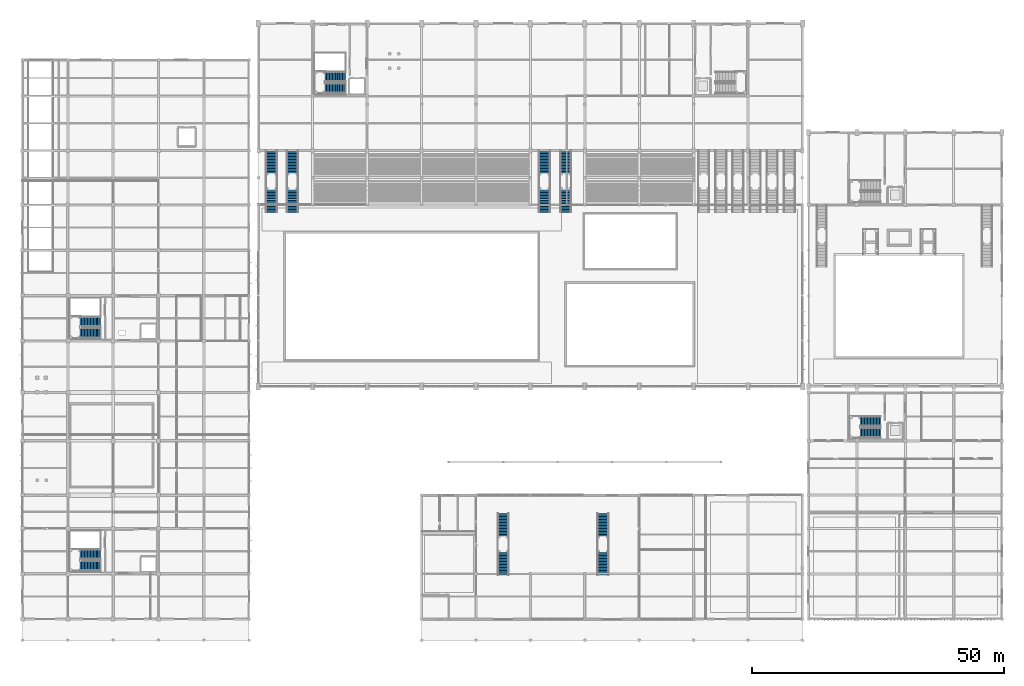
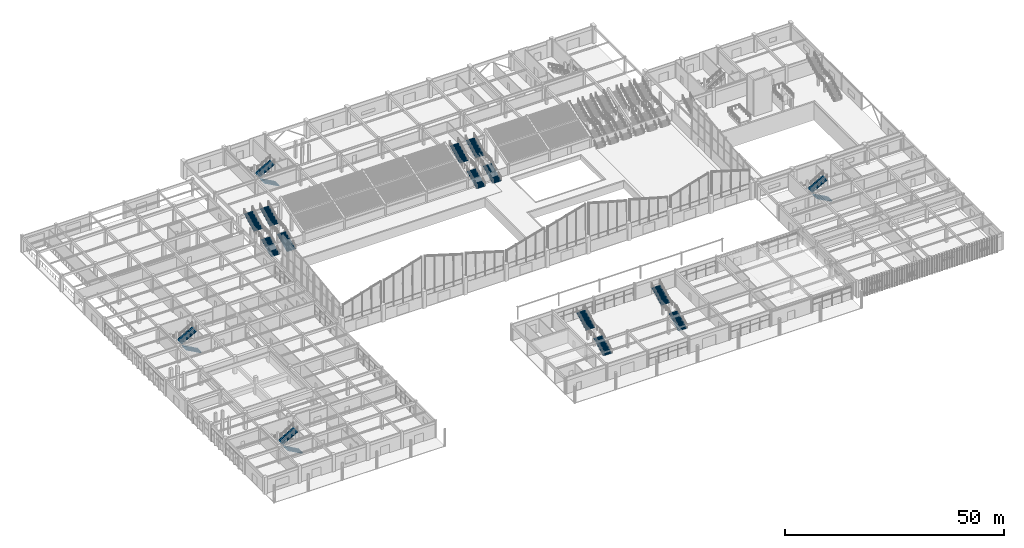
# One storey, part 61 of 82: 20 stair flights, 10 elements without a shape of their own.
"""IFC4 building model written with IfcOpenShell, lengths in metres."""

from ifc_helpers import new_model, si_unit, direction, frame, origin, place, context, subcontext, project, spatial, polyline, outline, extrude, material, type_object, element, aggregate, save


model = new_model("IFC4")

# Units and contexts
model_context = context("Model", 3, precision=1e-05, world=origin(), true_north=direction((0.0, 1.0)))
body_context = subcontext(model_context, "Body", "Model", "MODEL_VIEW")
ifc_project = project(units=[si_unit("LENGTHUNIT", "METRE"), si_unit("AREAUNIT", "SQUARE_METRE"), si_unit("VOLUMEUNIT", "CUBIC_METRE"), si_unit("PLANEANGLEUNIT", "RADIAN"), si_unit("MASSUNIT", "GRAM", prefix="KILO")], contexts=[model_context])

# Site, building, storey
site_placement = place(None, origin())
site = spatial("IfcSite", under=ifc_project, at=site_placement, CompositionType="ELEMENT")
building_placement = place(site_placement, origin())
building = spatial("IfcBuilding", under=site, at=building_placement, Name="Suirenkawa Promenade Aquatics Centre", CompositionType="ELEMENT")
storey_placement = place(building_placement, origin())
storey = spatial("IfcBuildingStorey", under=building, at=storey_placement, Name="L00", CompositionType="ELEMENT", Elevation=0.0)

# Stair, stair flights
ifc_material = material(Name="Concrete M40", Category="concrete")
stair_type_1 = type_object("IfcStairType", Name="STT-CORE-2100-480", PredefinedType="TWO_STRAIGHT_RUN_STAIR", material=ifc_material)
stair_1_placement = place(storey_placement, origin())
stair_1 = element("IfcStair", 1, at=stair_1_placement, inside=storey, type_object=stair_type_1, Name="Protected exit stair STR-01 ST-02", PredefinedType="TWO_STRAIGHT_RUN_STAIR")
stair_flight_type_1 = type_object("IfcStairFlightType", Name="SFT-FLIGHT-2100", PredefinedType="STRAIGHT", material=ifc_material)
stair_flight_1_placement = place(storey_placement, frame((15.514892578125, 14.780029296875, 0.0), z_axis=(0.0, 0.0, 1.0), x_axis=(-1.0, 0.0, 0.0)))
stair_flight_1 = element("IfcStairFlight", 2, at=stair_flight_1_placement, type_object=stair_flight_type_1, Name="Stair flight SFL-01 FL-003", NumberOfRisers=15, NumberOfTreads=14, PredefinedType="STRAIGHT", RiserHeight=0.16, TreadLength=0.29, context=body_context, shape_type="SweptSolid", body=[
    extrude(outline(polyline([(0.0, 0.0), (0.0, 0.159912109375), (0.2900390625, 0.159912109375), (0.2900390625, 0.320068359375), (0.580078125, 0.320068359375), (0.580078125, 0.47998046875), (0.8701171875, 0.47998046875), (0.8701171875, 0.639892578125), (1.159912109375, 0.639892578125), (1.159912109375, 0.800048828125), (1.449951171875, 0.800048828125), (1.449951171875, 0.9599609375), (1.739990234375, 0.9599609375), (1.739990234375, 1.1201171875), (2.030029296875, 1.1201171875), (2.030029296875, 1.280029296875), (2.320068359375, 1.280029296875), (2.320068359375, 1.43994140625), (2.610107421875, 1.43994140625), (2.610107421875, 1.60009765625), (2.89990234375, 1.60009765625), (2.89990234375, 1.760009765625), (3.18994140625, 1.760009765625), (3.18994140625, 1.919921875), (3.47998046875, 1.919921875), (3.47998046875, 2.080078125), (3.77001953125, 2.080078125), (3.77001953125, 2.239990234375), (4.06005859375, 2.239990234375), (4.06005859375, 2.39990234375), (4.06005859375, 2.0458984375), (0.351806640625, 0.0), (0.0, 0.0)])), frame((0.0, 1.010009765625, 0.0), z_axis=(0.0, -1.0, 0.0), x_axis=(1.0, 0.0, 0.0)), (0.0, 0.0, 1.0), 2.02001953125),
])
stair_flight_2_placement = place(storey_placement, frame((11.455078125, 17.050048828125, 2.39990234375), z_axis=(0.0, 0.0, 1.0), x_axis=(1.0, 0.0, 0.0)))
stair_flight_2 = element("IfcStairFlight", 3, at=stair_flight_2_placement, type_object=stair_flight_type_1, Name="Stair flight SFL-01 FL-004", NumberOfRisers=15, NumberOfTreads=14, PredefinedType="STRAIGHT", RiserHeight=0.16, TreadLength=0.29, context=body_context, shape_type="SweptSolid", body=[
    extrude(outline(polyline([(0.0, 0.0), (0.0, 0.159912109375), (0.2900390625, 0.159912109375), (0.2900390625, 0.320068359375), (0.580078125, 0.320068359375), (0.580078125, 0.47998046875), (0.8701171875, 0.47998046875), (0.8701171875, 0.639892578125), (1.159912109375, 0.639892578125), (1.159912109375, 0.800048828125), (1.449951171875, 0.800048828125), (1.449951171875, 0.9599609375), (1.739990234375, 0.9599609375), (1.739990234375, 1.1201171875), (2.030029296875, 1.1201171875), (2.030029296875, 1.280029296875), (2.320068359375, 1.280029296875), (2.320068359375, 1.43994140625), (2.610107421875, 1.43994140625), (2.610107421875, 1.60009765625), (2.89990234375, 1.60009765625), (2.89990234375, 1.760009765625), (3.18994140625, 1.760009765625), (3.18994140625, 1.919921875), (3.47998046875, 1.919921875), (3.47998046875, 2.080078125), (3.77001953125, 2.080078125), (3.77001953125, 2.239990234375), (4.06005859375, 2.239990234375), (4.06005859375, 2.39990234375), (4.06005859375, 2.0458984375), (0.351806640625, 0.0), (0.0, 0.0)])), frame((0.0, 1.010009765625, 0.0), z_axis=(0.0, -1.0, 0.0), x_axis=(1.0, 0.0, 0.0)), (0.0, 0.0, 1.0), 2.02001953125),
])
aggregate(stair_1, [stair_flight_1, stair_flight_2])

stair_2_placement = place(storey_placement, origin())
stair_2 = element("IfcStair", 4, at=stair_2_placement, inside=storey, type_object=stair_type_1, Name="Protected exit stair STR-01 ST-07", PredefinedType="TWO_STRAIGHT_RUN_STAIR")
stair_flight_3_placement = place(storey_placement, frame((15.514892578125, 60.97998046875, 0.0), z_axis=(0.0, 0.0, 1.0), x_axis=(-1.0, 0.0, 0.0)))
stair_flight_3 = element("IfcStairFlight", 5, at=stair_flight_3_placement, type_object=stair_flight_type_1, Name="Stair flight SFL-01 FL-013", NumberOfRisers=15, NumberOfTreads=14, PredefinedType="STRAIGHT", RiserHeight=0.16, TreadLength=0.29, context=body_context, shape_type="SweptSolid", body=[
    extrude(outline(polyline([(0.0, 0.0), (0.0, 0.159912109375), (0.2900390625, 0.159912109375), (0.2900390625, 0.320068359375), (0.580078125, 0.320068359375), (0.580078125, 0.47998046875), (0.8701171875, 0.47998046875), (0.8701171875, 0.639892578125), (1.159912109375, 0.639892578125), (1.159912109375, 0.800048828125), (1.449951171875, 0.800048828125), (1.449951171875, 0.9599609375), (1.739990234375, 0.9599609375), (1.739990234375, 1.1201171875), (2.030029296875, 1.1201171875), (2.030029296875, 1.280029296875), (2.320068359375, 1.280029296875), (2.320068359375, 1.43994140625), (2.610107421875, 1.43994140625), (2.610107421875, 1.60009765625), (2.89990234375, 1.60009765625), (2.89990234375, 1.760009765625), (3.18994140625, 1.760009765625), (3.18994140625, 1.919921875), (3.47998046875, 1.919921875), (3.47998046875, 2.080078125), (3.77001953125, 2.080078125), (3.77001953125, 2.239990234375), (4.06005859375, 2.239990234375), (4.06005859375, 2.39990234375), (4.06005859375, 2.0458984375), (0.351806640625, 0.0), (0.0, 0.0)])), frame((0.0, 1.010009765625, 0.0), z_axis=(0.0, -1.0, 0.0), x_axis=(1.0, 0.0, 0.0)), (0.0, 0.0, 1.0), 2.02001953125),
])
stair_flight_4_placement = place(storey_placement, frame((11.455078125, 63.25, 2.39990234375), z_axis=(0.0, 0.0, 1.0), x_axis=(1.0, 0.0, 0.0)))
stair_flight_4 = element("IfcStairFlight", 6, at=stair_flight_4_placement, type_object=stair_flight_type_1, Name="Stair flight SFL-01 FL-014", NumberOfRisers=15, NumberOfTreads=14, PredefinedType="STRAIGHT", RiserHeight=0.16, TreadLength=0.29, context=body_context, shape_type="SweptSolid", body=[
    extrude(outline(polyline([(0.0, 0.0), (0.0, 0.159912109375), (0.2900390625, 0.159912109375), (0.2900390625, 0.320068359375), (0.580078125, 0.320068359375), (0.580078125, 0.47998046875), (0.8701171875, 0.47998046875), (0.8701171875, 0.639892578125), (1.159912109375, 0.639892578125), (1.159912109375, 0.800048828125), (1.449951171875, 0.800048828125), (1.449951171875, 0.9599609375), (1.739990234375, 0.9599609375), (1.739990234375, 1.1201171875), (2.030029296875, 1.1201171875), (2.030029296875, 1.280029296875), (2.320068359375, 1.280029296875), (2.320068359375, 1.43994140625), (2.610107421875, 1.43994140625), (2.610107421875, 1.60009765625), (2.89990234375, 1.60009765625), (2.89990234375, 1.760009765625), (3.18994140625, 1.760009765625), (3.18994140625, 1.919921875), (3.47998046875, 1.919921875), (3.47998046875, 2.080078125), (3.77001953125, 2.080078125), (3.77001953125, 2.239990234375), (4.06005859375, 2.239990234375), (4.06005859375, 2.39990234375), (4.06005859375, 2.0458984375), (0.351806640625, 0.0), (0.0, 0.0)])), frame((0.0, 1.010009765625, 0.0), z_axis=(0.0, -1.0, 0.0), x_axis=(1.0, 0.0, 0.0)), (0.0, 0.0, 1.0), 2.02001953125),
])
aggregate(stair_2, [stair_flight_3, stair_flight_4])

stair_3_placement = place(storey_placement, origin())
stair_3 = element("IfcStair", 7, at=stair_3_placement, inside=storey, type_object=stair_type_1, Name="Protected exit stair STR-01 ST-12", PredefinedType="TWO_STRAIGHT_RUN_STAIR")
stair_flight_5_placement = place(storey_placement, frame((64.114990234375, 109.580078125, 0.0), z_axis=(0.0, 0.0, 1.0), x_axis=(-1.0, 0.0, 0.0)))
stair_flight_5 = element("IfcStairFlight", 8, at=stair_flight_5_placement, type_object=stair_flight_type_1, Name="Stair flight SFL-01 FL-023", NumberOfRisers=15, NumberOfTreads=14, PredefinedType="STRAIGHT", RiserHeight=0.16, TreadLength=0.29, context=body_context, shape_type="SweptSolid", body=[
    extrude(outline(polyline([(0.0, 0.0), (0.0, 0.159912109375), (0.2900390625, 0.159912109375), (0.2900390625, 0.320068359375), (0.580078125, 0.320068359375), (0.580078125, 0.47998046875), (0.8701171875, 0.47998046875), (0.8701171875, 0.639892578125), (1.159912109375, 0.639892578125), (1.159912109375, 0.800048828125), (1.449951171875, 0.800048828125), (1.449951171875, 0.9599609375), (1.739990234375, 0.9599609375), (1.739990234375, 1.1201171875), (2.030029296875, 1.1201171875), (2.030029296875, 1.280029296875), (2.320068359375, 1.280029296875), (2.320068359375, 1.43994140625), (2.610107421875, 1.43994140625), (2.610107421875, 1.60009765625), (2.89990234375, 1.60009765625), (2.89990234375, 1.760009765625), (3.18994140625, 1.760009765625), (3.18994140625, 1.919921875), (3.47998046875, 1.919921875), (3.47998046875, 2.080078125), (3.77001953125, 2.080078125), (3.77001953125, 2.239990234375), (4.06005859375, 2.239990234375), (4.06005859375, 2.39990234375), (4.06005859375, 2.0458984375), (0.351806640625, 0.0), (0.0, 0.0)])), frame((0.0, 1.010009765625, 0.0), z_axis=(0.0, -1.0, 0.0), x_axis=(1.0, 0.0, 0.0)), (0.0, 0.0, 1.0), 2.02001953125),
])
stair_flight_6_placement = place(storey_placement, frame((60.054931640625, 111.85009765625, 2.39990234375), z_axis=(0.0, 0.0, 1.0), x_axis=(1.0, 0.0, 0.0)))
stair_flight_6 = element("IfcStairFlight", 9, at=stair_flight_6_placement, type_object=stair_flight_type_1, Name="Stair flight SFL-01 FL-024", NumberOfRisers=15, NumberOfTreads=14, PredefinedType="STRAIGHT", RiserHeight=0.16, TreadLength=0.29, context=body_context, shape_type="SweptSolid", body=[
    extrude(outline(polyline([(0.0, 0.0), (0.0, 0.159912109375), (0.2900390625, 0.159912109375), (0.2900390625, 0.320068359375), (0.580078125, 0.320068359375), (0.580078125, 0.47998046875), (0.8701171875, 0.47998046875), (0.8701171875, 0.639892578125), (1.159912109375, 0.639892578125), (1.159912109375, 0.800048828125), (1.449951171875, 0.800048828125), (1.449951171875, 0.9599609375), (1.739990234375, 0.9599609375), (1.739990234375, 1.1201171875), (2.030029296875, 1.1201171875), (2.030029296875, 1.280029296875), (2.320068359375, 1.280029296875), (2.320068359375, 1.43994140625), (2.610107421875, 1.43994140625), (2.610107421875, 1.60009765625), (2.89990234375, 1.60009765625), (2.89990234375, 1.760009765625), (3.18994140625, 1.760009765625), (3.18994140625, 1.919921875), (3.47998046875, 1.919921875), (3.47998046875, 2.080078125), (3.77001953125, 2.080078125), (3.77001953125, 2.239990234375), (4.06005859375, 2.239990234375), (4.06005859375, 2.39990234375), (4.06005859375, 2.0458984375), (0.351806640625, 0.0), (0.0, 0.0)])), frame((0.0, 1.010009765625, 0.0), z_axis=(0.0, -1.0, 0.0), x_axis=(1.0, 0.0, 0.0)), (0.0, 0.0, 1.0), 2.02001953125),
])
aggregate(stair_3, [stair_flight_5, stair_flight_6])

stair_4_placement = place(storey_placement, origin())
stair_4 = element("IfcStair", 10, at=stair_4_placement, inside=storey, type_object=stair_type_1, Name="Protected exit stair STR-01 ST-19", PredefinedType="TWO_STRAIGHT_RUN_STAIR")
stair_flight_7_placement = place(storey_placement, frame((170.31494140625, 41.179931640625, 0.0), z_axis=(0.0, 0.0, 1.0), x_axis=(-1.0, 0.0, 0.0)))
stair_flight_7 = element("IfcStairFlight", 11, at=stair_flight_7_placement, type_object=stair_flight_type_1, Name="Stair flight SFL-01 FL-037", NumberOfRisers=15, NumberOfTreads=14, PredefinedType="STRAIGHT", RiserHeight=0.16, TreadLength=0.29, context=body_context, shape_type="SweptSolid", body=[
    extrude(outline(polyline([(0.0, 0.0), (0.0, 0.159912109375), (0.2900390625, 0.159912109375), (0.2900390625, 0.320068359375), (0.580078125, 0.320068359375), (0.580078125, 0.47998046875), (0.8701171875, 0.47998046875), (0.8701171875, 0.639892578125), (1.159912109375, 0.639892578125), (1.159912109375, 0.800048828125), (1.449951171875, 0.800048828125), (1.449951171875, 0.9599609375), (1.739990234375, 0.9599609375), (1.739990234375, 1.1201171875), (2.030029296875, 1.1201171875), (2.030029296875, 1.280029296875), (2.320068359375, 1.280029296875), (2.320068359375, 1.43994140625), (2.610107421875, 1.43994140625), (2.610107421875, 1.60009765625), (2.89990234375, 1.60009765625), (2.89990234375, 1.760009765625), (3.18994140625, 1.760009765625), (3.18994140625, 1.919921875), (3.47998046875, 1.919921875), (3.47998046875, 2.080078125), (3.77001953125, 2.080078125), (3.77001953125, 2.239990234375), (4.06005859375, 2.239990234375), (4.06005859375, 2.39990234375), (4.06005859375, 2.0458984375), (0.351806640625, 0.0), (0.0, 0.0)])), frame((0.0, 1.010009765625, 0.0), z_axis=(0.0, -1.0, 0.0), x_axis=(1.0, 0.0, 0.0)), (0.0, 0.0, 1.0), 2.02001953125),
])
stair_flight_8_placement = place(storey_placement, frame((166.2548828125, 43.449951171875, 2.39990234375), z_axis=(0.0, 0.0, 1.0), x_axis=(1.0, 0.0, 0.0)))
stair_flight_8 = element("IfcStairFlight", 12, at=stair_flight_8_placement, type_object=stair_flight_type_1, Name="Stair flight SFL-01 FL-038", NumberOfRisers=15, NumberOfTreads=14, PredefinedType="STRAIGHT", RiserHeight=0.16, TreadLength=0.29, context=body_context, shape_type="SweptSolid", body=[
    extrude(outline(polyline([(0.0, 0.0), (0.0, 0.159912109375), (0.2900390625, 0.159912109375), (0.2900390625, 0.320068359375), (0.580078125, 0.320068359375), (0.580078125, 0.47998046875), (0.8701171875, 0.47998046875), (0.8701171875, 0.639892578125), (1.159912109375, 0.639892578125), (1.159912109375, 0.800048828125), (1.449951171875, 0.800048828125), (1.449951171875, 0.9599609375), (1.739990234375, 0.9599609375), (1.739990234375, 1.1201171875), (2.030029296875, 1.1201171875), (2.030029296875, 1.280029296875), (2.320068359375, 1.280029296875), (2.320068359375, 1.43994140625), (2.610107421875, 1.43994140625), (2.610107421875, 1.60009765625), (2.89990234375, 1.60009765625), (2.89990234375, 1.760009765625), (3.18994140625, 1.760009765625), (3.18994140625, 1.919921875), (3.47998046875, 1.919921875), (3.47998046875, 2.080078125), (3.77001953125, 2.080078125), (3.77001953125, 2.239990234375), (4.06005859375, 2.239990234375), (4.06005859375, 2.39990234375), (4.06005859375, 2.0458984375), (0.351806640625, 0.0), (0.0, 0.0)])), frame((0.0, 1.010009765625, 0.0), z_axis=(0.0, -1.0, 0.0), x_axis=(1.0, 0.0, 0.0)), (0.0, 0.0, 1.0), 2.02001953125),
])
aggregate(stair_4, [stair_flight_7, stair_flight_8])

stair_type_2 = type_object("IfcStairType", Name="STT-FOYER-2600", PredefinedType="STRAIGHT_RUN_STAIR", material=ifc_material)
stair_5_placement = place(storey_placement, origin())
stair_5 = element("IfcStair", 13, at=stair_5_placement, inside=storey, type_object=stair_type_2, Name="Grand assembly cascade stair STR-05 ST-32", PredefinedType="STRAIGHT_RUN_STAIR")
stair_flight_type_2 = type_object("IfcStairFlightType", Name="SFT-FLIGHT-2600", PredefinedType="STRAIGHT", material=ifc_material)
stair_flight_9_placement = place(storey_placement, frame((95.39990234375, 12.929931640625, 0.0), z_axis=(0.0, 0.0, 1.0), x_axis=(0.0, 1.0, 0.0)))
stair_flight_9 = element("IfcStairFlight", 14, at=stair_flight_9_placement, type_object=stair_flight_type_2, Name="Cascade flight SFL-04 FL-063", NumberOfRisers=16, NumberOfTreads=15, PredefinedType="STRAIGHT", RiserHeight=0.15, TreadLength=0.3, context=body_context, shape_type="SweptSolid", body=[
    extrude(outline(polyline([(0.0, 0.0), (0.0, 0.14990234375), (0.300048828125, 0.14990234375), (0.300048828125, 0.300048828125), (0.60009765625, 0.300048828125), (0.60009765625, 0.449951171875), (0.89990234375, 0.449951171875), (0.89990234375, 0.60009765625), (1.199951171875, 0.60009765625), (1.199951171875, 0.75), (1.5, 0.75), (1.5, 0.89990234375), (1.800048828125, 0.89990234375), (1.800048828125, 1.050048828125), (2.10009765625, 1.050048828125), (2.10009765625, 1.199951171875), (2.39990234375, 1.199951171875), (2.39990234375, 1.35009765625), (2.699951171875, 1.35009765625), (2.699951171875, 1.5), (3.0, 1.5), (3.0, 1.64990234375), (3.300048828125, 1.64990234375), (3.300048828125, 1.800048828125), (3.60009765625, 1.800048828125), (3.60009765625, 1.949951171875), (3.89990234375, 1.949951171875), (3.89990234375, 2.10009765625), (4.199951171875, 2.10009765625), (4.199951171875, 2.25), (4.5, 2.25), (4.5, 2.39990234375), (4.5, 2.06005859375), (0.3798828125, 0.0), (0.0, 0.0)])), frame((0.0, 1.125, 0.0), z_axis=(0.0, -1.0, 0.0), x_axis=(1.0, 0.0, 0.0)), (0.0, 0.0, 1.0), 2.25),
])
stair_flight_10_placement = place(storey_placement, frame((95.39990234375, 20.719970703125, 2.39990234375), z_axis=(0.0, 0.0, 1.0), x_axis=(0.0, 1.0, 0.0)))
stair_flight_10 = element("IfcStairFlight", 15, at=stair_flight_10_placement, type_object=stair_flight_type_2, Name="Cascade flight SFL-04 FL-064", NumberOfRisers=16, NumberOfTreads=15, PredefinedType="STRAIGHT", RiserHeight=0.15, TreadLength=0.3, context=body_context, shape_type="SweptSolid", body=[
    extrude(outline(polyline([(0.0, 0.0), (0.0, 0.14990234375), (0.300048828125, 0.14990234375), (0.300048828125, 0.300048828125), (0.60009765625, 0.300048828125), (0.60009765625, 0.449951171875), (0.89990234375, 0.449951171875), (0.89990234375, 0.60009765625), (1.199951171875, 0.60009765625), (1.199951171875, 0.75), (1.5, 0.75), (1.5, 0.89990234375), (1.800048828125, 0.89990234375), (1.800048828125, 1.050048828125), (2.10009765625, 1.050048828125), (2.10009765625, 1.199951171875), (2.39990234375, 1.199951171875), (2.39990234375, 1.35009765625), (2.699951171875, 1.35009765625), (2.699951171875, 1.5), (3.0, 1.5), (3.0, 1.64990234375), (3.300048828125, 1.64990234375), (3.300048828125, 1.800048828125), (3.60009765625, 1.800048828125), (3.60009765625, 1.949951171875), (3.89990234375, 1.949951171875), (3.89990234375, 2.10009765625), (4.199951171875, 2.10009765625), (4.199951171875, 2.25), (4.5, 2.25), (4.5, 2.39990234375), (4.5, 2.06005859375), (0.3798828125, 0.0), (0.0, 0.0)])), frame((0.0, 1.125, 0.0), z_axis=(0.0, -1.0, 0.0), x_axis=(1.0, 0.0, 0.0)), (0.0, 0.0, 1.0), 2.25),
])
aggregate(stair_5, [stair_flight_9, stair_flight_10])

stair_6_placement = place(storey_placement, origin())
stair_6 = element("IfcStair", 16, at=stair_6_placement, inside=storey, type_object=stair_type_2, Name="Grand assembly cascade stair STR-05 ST-33", PredefinedType="STRAIGHT_RUN_STAIR")
stair_flight_11_placement = place(storey_placement, frame((115.199951171875, 12.929931640625, 0.0), z_axis=(0.0, 0.0, 1.0), x_axis=(0.0, 1.0, 0.0)))
stair_flight_11 = element("IfcStairFlight", 17, at=stair_flight_11_placement, type_object=stair_flight_type_2, Name="Cascade flight SFL-04 FL-065", NumberOfRisers=16, NumberOfTreads=15, PredefinedType="STRAIGHT", RiserHeight=0.15, TreadLength=0.3, context=body_context, shape_type="SweptSolid", body=[
    extrude(outline(polyline([(0.0, 0.0), (0.0, 0.14990234375), (0.300048828125, 0.14990234375), (0.300048828125, 0.300048828125), (0.60009765625, 0.300048828125), (0.60009765625, 0.449951171875), (0.89990234375, 0.449951171875), (0.89990234375, 0.60009765625), (1.199951171875, 0.60009765625), (1.199951171875, 0.75), (1.5, 0.75), (1.5, 0.89990234375), (1.800048828125, 0.89990234375), (1.800048828125, 1.050048828125), (2.10009765625, 1.050048828125), (2.10009765625, 1.199951171875), (2.39990234375, 1.199951171875), (2.39990234375, 1.35009765625), (2.699951171875, 1.35009765625), (2.699951171875, 1.5), (3.0, 1.5), (3.0, 1.64990234375), (3.300048828125, 1.64990234375), (3.300048828125, 1.800048828125), (3.60009765625, 1.800048828125), (3.60009765625, 1.949951171875), (3.89990234375, 1.949951171875), (3.89990234375, 2.10009765625), (4.199951171875, 2.10009765625), (4.199951171875, 2.25), (4.5, 2.25), (4.5, 2.39990234375), (4.5, 2.06005859375), (0.3798828125, 0.0), (0.0, 0.0)])), frame((0.0, 1.125, 0.0), z_axis=(0.0, -1.0, 0.0), x_axis=(1.0, 0.0, 0.0)), (0.0, 0.0, 1.0), 2.25),
])
stair_flight_12_placement = place(storey_placement, frame((115.199951171875, 20.719970703125, 2.39990234375), z_axis=(0.0, 0.0, 1.0), x_axis=(0.0, 1.0, 0.0)))
stair_flight_12 = element("IfcStairFlight", 18, at=stair_flight_12_placement, type_object=stair_flight_type_2, Name="Cascade flight SFL-04 FL-066", NumberOfRisers=16, NumberOfTreads=15, PredefinedType="STRAIGHT", RiserHeight=0.15, TreadLength=0.3, context=body_context, shape_type="SweptSolid", body=[
    extrude(outline(polyline([(0.0, 0.0), (0.0, 0.14990234375), (0.300048828125, 0.14990234375), (0.300048828125, 0.300048828125), (0.60009765625, 0.300048828125), (0.60009765625, 0.449951171875), (0.89990234375, 0.449951171875), (0.89990234375, 0.60009765625), (1.199951171875, 0.60009765625), (1.199951171875, 0.75), (1.5, 0.75), (1.5, 0.89990234375), (1.800048828125, 0.89990234375), (1.800048828125, 1.050048828125), (2.10009765625, 1.050048828125), (2.10009765625, 1.199951171875), (2.39990234375, 1.199951171875), (2.39990234375, 1.35009765625), (2.699951171875, 1.35009765625), (2.699951171875, 1.5), (3.0, 1.5), (3.0, 1.64990234375), (3.300048828125, 1.64990234375), (3.300048828125, 1.800048828125), (3.60009765625, 1.800048828125), (3.60009765625, 1.949951171875), (3.89990234375, 1.949951171875), (3.89990234375, 2.10009765625), (4.199951171875, 2.10009765625), (4.199951171875, 2.25), (4.5, 2.25), (4.5, 2.39990234375), (4.5, 2.06005859375), (0.3798828125, 0.0), (0.0, 0.0)])), frame((0.0, 1.125, 0.0), z_axis=(0.0, -1.0, 0.0), x_axis=(1.0, 0.0, 0.0)), (0.0, 0.0, 1.0), 2.25),
])
aggregate(stair_6, [stair_flight_11, stair_flight_12])

stair_type_3 = type_object("IfcStairType", Name="STT-CASCADE-3200", PredefinedType="STRAIGHT_RUN_STAIR", material=ifc_material)
stair_7_placement = place(storey_placement, origin())
stair_7 = element("IfcStair", 19, at=stair_7_placement, inside=storey, type_object=stair_type_3, Name="Grand assembly cascade stair STR-04 ST-22", PredefinedType="STRAIGHT_RUN_STAIR")
stair_flight_type_3 = type_object("IfcStairFlightType", Name="SFT-FLIGHT-3200", PredefinedType="STRAIGHT", material=ifc_material)
stair_flight_13_placement = place(storey_placement, frame((49.39990234375, 84.929931640625, 0.0), z_axis=(0.0, 0.0, 1.0), x_axis=(0.0, 1.0, 0.0)))
stair_flight_13 = element("IfcStairFlight", 20, at=stair_flight_13_placement, type_object=stair_flight_type_3, Name="Cascade flight SFL-03 FL-043", NumberOfRisers=16, NumberOfTreads=15, PredefinedType="STRAIGHT", RiserHeight=0.15, TreadLength=0.3, context=body_context, shape_type="SweptSolid", body=[
    extrude(outline(polyline([(0.0, 0.0), (0.0, 0.14990234375), (0.300048828125, 0.14990234375), (0.300048828125, 0.300048828125), (0.60009765625, 0.300048828125), (0.60009765625, 0.449951171875), (0.89990234375, 0.449951171875), (0.89990234375, 0.60009765625), (1.199951171875, 0.60009765625), (1.199951171875, 0.75), (1.5, 0.75), (1.5, 0.89990234375), (1.800048828125, 0.89990234375), (1.800048828125, 1.050048828125), (2.10009765625, 1.050048828125), (2.10009765625, 1.199951171875), (2.39990234375, 1.199951171875), (2.39990234375, 1.35009765625), (2.699951171875, 1.35009765625), (2.699951171875, 1.5), (3.0, 1.5), (3.0, 1.64990234375), (3.300048828125, 1.64990234375), (3.300048828125, 1.800048828125), (3.60009765625, 1.800048828125), (3.60009765625, 1.949951171875), (3.89990234375, 1.949951171875), (3.89990234375, 2.10009765625), (4.199951171875, 2.10009765625), (4.199951171875, 2.25), (4.5, 2.25), (4.5, 2.39990234375), (4.5, 2.06005859375), (0.3798828125, 0.0), (0.0, 0.0)])), frame((0.0, 1.125, 0.0), z_axis=(0.0, -1.0, 0.0), x_axis=(1.0, 0.0, 0.0)), (0.0, 0.0, 1.0), 2.25),
])
stair_flight_14_placement = place(storey_placement, frame((49.39990234375, 92.719970703125, 2.39990234375), z_axis=(0.0, 0.0, 1.0), x_axis=(0.0, 1.0, 0.0)))
stair_flight_14 = element("IfcStairFlight", 21, at=stair_flight_14_placement, type_object=stair_flight_type_3, Name="Cascade flight SFL-03 FL-044", NumberOfRisers=16, NumberOfTreads=15, PredefinedType="STRAIGHT", RiserHeight=0.15, TreadLength=0.3, context=body_context, shape_type="SweptSolid", body=[
    extrude(outline(polyline([(0.0, 0.0), (0.0, 0.14990234375), (0.300048828125, 0.14990234375), (0.300048828125, 0.300048828125), (0.60009765625, 0.300048828125), (0.60009765625, 0.449951171875), (0.89990234375, 0.449951171875), (0.89990234375, 0.60009765625), (1.199951171875, 0.60009765625), (1.199951171875, 0.75), (1.5, 0.75), (1.5, 0.89990234375), (1.800048828125, 0.89990234375), (1.800048828125, 1.050048828125), (2.10009765625, 1.050048828125), (2.10009765625, 1.199951171875), (2.39990234375, 1.199951171875), (2.39990234375, 1.35009765625), (2.699951171875, 1.35009765625), (2.699951171875, 1.5), (3.0, 1.5), (3.0, 1.64990234375), (3.300048828125, 1.64990234375), (3.300048828125, 1.800048828125), (3.60009765625, 1.800048828125), (3.60009765625, 1.949951171875), (3.89990234375, 1.949951171875), (3.89990234375, 2.10009765625), (4.199951171875, 2.10009765625), (4.199951171875, 2.25), (4.5, 2.25), (4.5, 2.39990234375), (4.5, 2.06005859375), (0.3798828125, 0.0), (0.0, 0.0)])), frame((0.0, 1.125, 0.0), z_axis=(0.0, -1.0, 0.0), x_axis=(1.0, 0.0, 0.0)), (0.0, 0.0, 1.0), 2.25),
])
aggregate(stair_7, [stair_flight_13, stair_flight_14])

stair_8_placement = place(storey_placement, origin())
stair_8 = element("IfcStair", 22, at=stair_8_placement, inside=storey, type_object=stair_type_3, Name="Grand assembly cascade stair STR-04 ST-23", PredefinedType="STRAIGHT_RUN_STAIR")
stair_flight_15_placement = place(storey_placement, frame((53.60009765625, 84.929931640625, 0.0), z_axis=(0.0, 0.0, 1.0), x_axis=(0.0, 1.0, 0.0)))
stair_flight_15 = element("IfcStairFlight", 23, at=stair_flight_15_placement, type_object=stair_flight_type_3, Name="Cascade flight SFL-03 FL-045", NumberOfRisers=16, NumberOfTreads=15, PredefinedType="STRAIGHT", RiserHeight=0.15, TreadLength=0.3, context=body_context, shape_type="SweptSolid", body=[
    extrude(outline(polyline([(0.0, 0.0), (0.0, 0.14990234375), (0.300048828125, 0.14990234375), (0.300048828125, 0.300048828125), (0.60009765625, 0.300048828125), (0.60009765625, 0.449951171875), (0.89990234375, 0.449951171875), (0.89990234375, 0.60009765625), (1.199951171875, 0.60009765625), (1.199951171875, 0.75), (1.5, 0.75), (1.5, 0.89990234375), (1.800048828125, 0.89990234375), (1.800048828125, 1.050048828125), (2.10009765625, 1.050048828125), (2.10009765625, 1.199951171875), (2.39990234375, 1.199951171875), (2.39990234375, 1.35009765625), (2.699951171875, 1.35009765625), (2.699951171875, 1.5), (3.0, 1.5), (3.0, 1.64990234375), (3.300048828125, 1.64990234375), (3.300048828125, 1.800048828125), (3.60009765625, 1.800048828125), (3.60009765625, 1.949951171875), (3.89990234375, 1.949951171875), (3.89990234375, 2.10009765625), (4.199951171875, 2.10009765625), (4.199951171875, 2.25), (4.5, 2.25), (4.5, 2.39990234375), (4.5, 2.06005859375), (0.3798828125, 0.0), (0.0, 0.0)])), frame((0.0, 1.125, 0.0), z_axis=(0.0, -1.0, 0.0), x_axis=(1.0, 0.0, 0.0)), (0.0, 0.0, 1.0), 2.25),
])
stair_flight_16_placement = place(storey_placement, frame((53.60009765625, 92.719970703125, 2.39990234375), z_axis=(0.0, 0.0, 1.0), x_axis=(0.0, 1.0, 0.0)))
stair_flight_16 = element("IfcStairFlight", 24, at=stair_flight_16_placement, type_object=stair_flight_type_3, Name="Cascade flight SFL-03 FL-046", NumberOfRisers=16, NumberOfTreads=15, PredefinedType="STRAIGHT", RiserHeight=0.15, TreadLength=0.3, context=body_context, shape_type="SweptSolid", body=[
    extrude(outline(polyline([(0.0, 0.0), (0.0, 0.14990234375), (0.300048828125, 0.14990234375), (0.300048828125, 0.300048828125), (0.60009765625, 0.300048828125), (0.60009765625, 0.449951171875), (0.89990234375, 0.449951171875), (0.89990234375, 0.60009765625), (1.199951171875, 0.60009765625), (1.199951171875, 0.75), (1.5, 0.75), (1.5, 0.89990234375), (1.800048828125, 0.89990234375), (1.800048828125, 1.050048828125), (2.10009765625, 1.050048828125), (2.10009765625, 1.199951171875), (2.39990234375, 1.199951171875), (2.39990234375, 1.35009765625), (2.699951171875, 1.35009765625), (2.699951171875, 1.5), (3.0, 1.5), (3.0, 1.64990234375), (3.300048828125, 1.64990234375), (3.300048828125, 1.800048828125), (3.60009765625, 1.800048828125), (3.60009765625, 1.949951171875), (3.89990234375, 1.949951171875), (3.89990234375, 2.10009765625), (4.199951171875, 2.10009765625), (4.199951171875, 2.25), (4.5, 2.25), (4.5, 2.39990234375), (4.5, 2.06005859375), (0.3798828125, 0.0), (0.0, 0.0)])), frame((0.0, 1.125, 0.0), z_axis=(0.0, -1.0, 0.0), x_axis=(1.0, 0.0, 0.0)), (0.0, 0.0, 1.0), 2.25),
])
aggregate(stair_8, [stair_flight_15, stair_flight_16])

stair_9_placement = place(storey_placement, origin())
stair_9 = element("IfcStair", 25, at=stair_9_placement, inside=storey, type_object=stair_type_3, Name="Grand assembly cascade stair STR-04 ST-24", PredefinedType="STRAIGHT_RUN_STAIR")
stair_flight_17_placement = place(storey_placement, frame((103.60009765625, 84.929931640625, 0.0), z_axis=(0.0, 0.0, 1.0), x_axis=(0.0, 1.0, 0.0)))
stair_flight_17 = element("IfcStairFlight", 26, at=stair_flight_17_placement, type_object=stair_flight_type_3, Name="Cascade flight SFL-03 FL-047", NumberOfRisers=16, NumberOfTreads=15, PredefinedType="STRAIGHT", RiserHeight=0.15, TreadLength=0.3, context=body_context, shape_type="SweptSolid", body=[
    extrude(outline(polyline([(0.0, 0.0), (0.0, 0.14990234375), (0.300048828125, 0.14990234375), (0.300048828125, 0.300048828125), (0.60009765625, 0.300048828125), (0.60009765625, 0.449951171875), (0.89990234375, 0.449951171875), (0.89990234375, 0.60009765625), (1.199951171875, 0.60009765625), (1.199951171875, 0.75), (1.5, 0.75), (1.5, 0.89990234375), (1.800048828125, 0.89990234375), (1.800048828125, 1.050048828125), (2.10009765625, 1.050048828125), (2.10009765625, 1.199951171875), (2.39990234375, 1.199951171875), (2.39990234375, 1.35009765625), (2.699951171875, 1.35009765625), (2.699951171875, 1.5), (3.0, 1.5), (3.0, 1.64990234375), (3.300048828125, 1.64990234375), (3.300048828125, 1.800048828125), (3.60009765625, 1.800048828125), (3.60009765625, 1.949951171875), (3.89990234375, 1.949951171875), (3.89990234375, 2.10009765625), (4.199951171875, 2.10009765625), (4.199951171875, 2.25), (4.5, 2.25), (4.5, 2.39990234375), (4.5, 2.06005859375), (0.3798828125, 0.0), (0.0, 0.0)])), frame((0.0, 1.125, 0.0), z_axis=(0.0, -1.0, 0.0), x_axis=(1.0, 0.0, 0.0)), (0.0, 0.0, 1.0), 2.25),
])
stair_flight_18_placement = place(storey_placement, frame((103.60009765625, 92.719970703125, 2.39990234375), z_axis=(0.0, 0.0, 1.0), x_axis=(0.0, 1.0, 0.0)))
stair_flight_18 = element("IfcStairFlight", 27, at=stair_flight_18_placement, type_object=stair_flight_type_3, Name="Cascade flight SFL-03 FL-048", NumberOfRisers=16, NumberOfTreads=15, PredefinedType="STRAIGHT", RiserHeight=0.15, TreadLength=0.3, context=body_context, shape_type="SweptSolid", body=[
    extrude(outline(polyline([(0.0, 0.0), (0.0, 0.14990234375), (0.300048828125, 0.14990234375), (0.300048828125, 0.300048828125), (0.60009765625, 0.300048828125), (0.60009765625, 0.449951171875), (0.89990234375, 0.449951171875), (0.89990234375, 0.60009765625), (1.199951171875, 0.60009765625), (1.199951171875, 0.75), (1.5, 0.75), (1.5, 0.89990234375), (1.800048828125, 0.89990234375), (1.800048828125, 1.050048828125), (2.10009765625, 1.050048828125), (2.10009765625, 1.199951171875), (2.39990234375, 1.199951171875), (2.39990234375, 1.35009765625), (2.699951171875, 1.35009765625), (2.699951171875, 1.5), (3.0, 1.5), (3.0, 1.64990234375), (3.300048828125, 1.64990234375), (3.300048828125, 1.800048828125), (3.60009765625, 1.800048828125), (3.60009765625, 1.949951171875), (3.89990234375, 1.949951171875), (3.89990234375, 2.10009765625), (4.199951171875, 2.10009765625), (4.199951171875, 2.25), (4.5, 2.25), (4.5, 2.39990234375), (4.5, 2.06005859375), (0.3798828125, 0.0), (0.0, 0.0)])), frame((0.0, 1.125, 0.0), z_axis=(0.0, -1.0, 0.0), x_axis=(1.0, 0.0, 0.0)), (0.0, 0.0, 1.0), 2.25),
])
aggregate(stair_9, [stair_flight_17, stair_flight_18])

stair_10_placement = place(storey_placement, origin())
stair_10 = element("IfcStair", 28, at=stair_10_placement, inside=storey, type_object=stair_type_3, Name="Grand assembly cascade stair STR-04 ST-25", PredefinedType="STRAIGHT_RUN_STAIR")
stair_flight_19_placement = place(storey_placement, frame((107.800048828125, 84.929931640625, 0.0), z_axis=(0.0, 0.0, 1.0), x_axis=(0.0, 1.0, 0.0)))
stair_flight_19 = element("IfcStairFlight", 29, at=stair_flight_19_placement, type_object=stair_flight_type_3, Name="Cascade flight SFL-03 FL-049", NumberOfRisers=16, NumberOfTreads=15, PredefinedType="STRAIGHT", RiserHeight=0.15, TreadLength=0.3, context=body_context, shape_type="SweptSolid", body=[
    extrude(outline(polyline([(0.0, 0.0), (0.0, 0.14990234375), (0.300048828125, 0.14990234375), (0.300048828125, 0.300048828125), (0.60009765625, 0.300048828125), (0.60009765625, 0.449951171875), (0.89990234375, 0.449951171875), (0.89990234375, 0.60009765625), (1.199951171875, 0.60009765625), (1.199951171875, 0.75), (1.5, 0.75), (1.5, 0.89990234375), (1.800048828125, 0.89990234375), (1.800048828125, 1.050048828125), (2.10009765625, 1.050048828125), (2.10009765625, 1.199951171875), (2.39990234375, 1.199951171875), (2.39990234375, 1.35009765625), (2.699951171875, 1.35009765625), (2.699951171875, 1.5), (3.0, 1.5), (3.0, 1.64990234375), (3.300048828125, 1.64990234375), (3.300048828125, 1.800048828125), (3.60009765625, 1.800048828125), (3.60009765625, 1.949951171875), (3.89990234375, 1.949951171875), (3.89990234375, 2.10009765625), (4.199951171875, 2.10009765625), (4.199951171875, 2.25), (4.5, 2.25), (4.5, 2.39990234375), (4.5, 2.06005859375), (0.3798828125, 0.0), (0.0, 0.0)])), frame((0.0, 1.125, 0.0), z_axis=(0.0, -1.0, 0.0), x_axis=(1.0, 0.0, 0.0)), (0.0, 0.0, 1.0), 2.25),
])
stair_flight_20_placement = place(storey_placement, frame((107.800048828125, 92.719970703125, 2.39990234375), z_axis=(0.0, 0.0, 1.0), x_axis=(0.0, 1.0, 0.0)))
stair_flight_20 = element("IfcStairFlight", 30, at=stair_flight_20_placement, type_object=stair_flight_type_3, Name="Cascade flight SFL-03 FL-050", NumberOfRisers=16, NumberOfTreads=15, PredefinedType="STRAIGHT", RiserHeight=0.15, TreadLength=0.3, context=body_context, shape_type="SweptSolid", body=[
    extrude(outline(polyline([(0.0, 0.0), (0.0, 0.14990234375), (0.300048828125, 0.14990234375), (0.300048828125, 0.300048828125), (0.60009765625, 0.300048828125), (0.60009765625, 0.449951171875), (0.89990234375, 0.449951171875), (0.89990234375, 0.60009765625), (1.199951171875, 0.60009765625), (1.199951171875, 0.75), (1.5, 0.75), (1.5, 0.89990234375), (1.800048828125, 0.89990234375), (1.800048828125, 1.050048828125), (2.10009765625, 1.050048828125), (2.10009765625, 1.199951171875), (2.39990234375, 1.199951171875), (2.39990234375, 1.35009765625), (2.699951171875, 1.35009765625), (2.699951171875, 1.5), (3.0, 1.5), (3.0, 1.64990234375), (3.300048828125, 1.64990234375), (3.300048828125, 1.800048828125), (3.60009765625, 1.800048828125), (3.60009765625, 1.949951171875), (3.89990234375, 1.949951171875), (3.89990234375, 2.10009765625), (4.199951171875, 2.10009765625), (4.199951171875, 2.25), (4.5, 2.25), (4.5, 2.39990234375), (4.5, 2.06005859375), (0.3798828125, 0.0), (0.0, 0.0)])), frame((0.0, 1.125, 0.0), z_axis=(0.0, -1.0, 0.0), x_axis=(1.0, 0.0, 0.0)), (0.0, 0.0, 1.0), 2.25),
])
aggregate(stair_10, [stair_flight_19, stair_flight_20])

save(model, "model.ifc")
